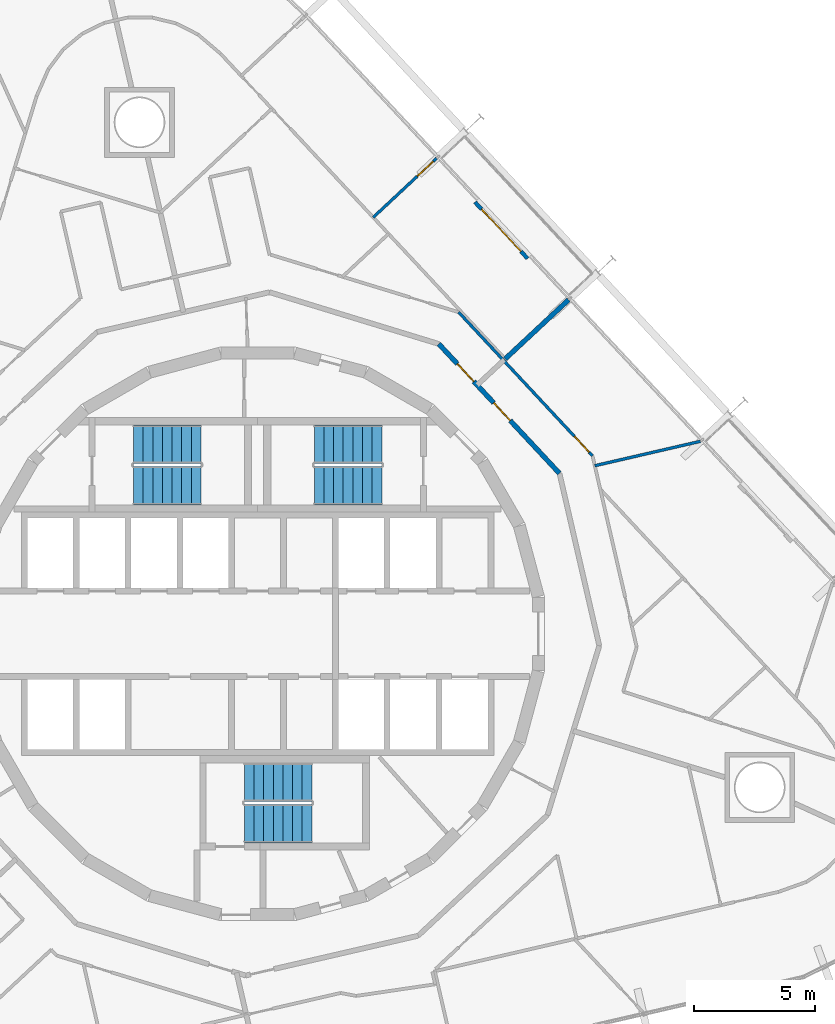
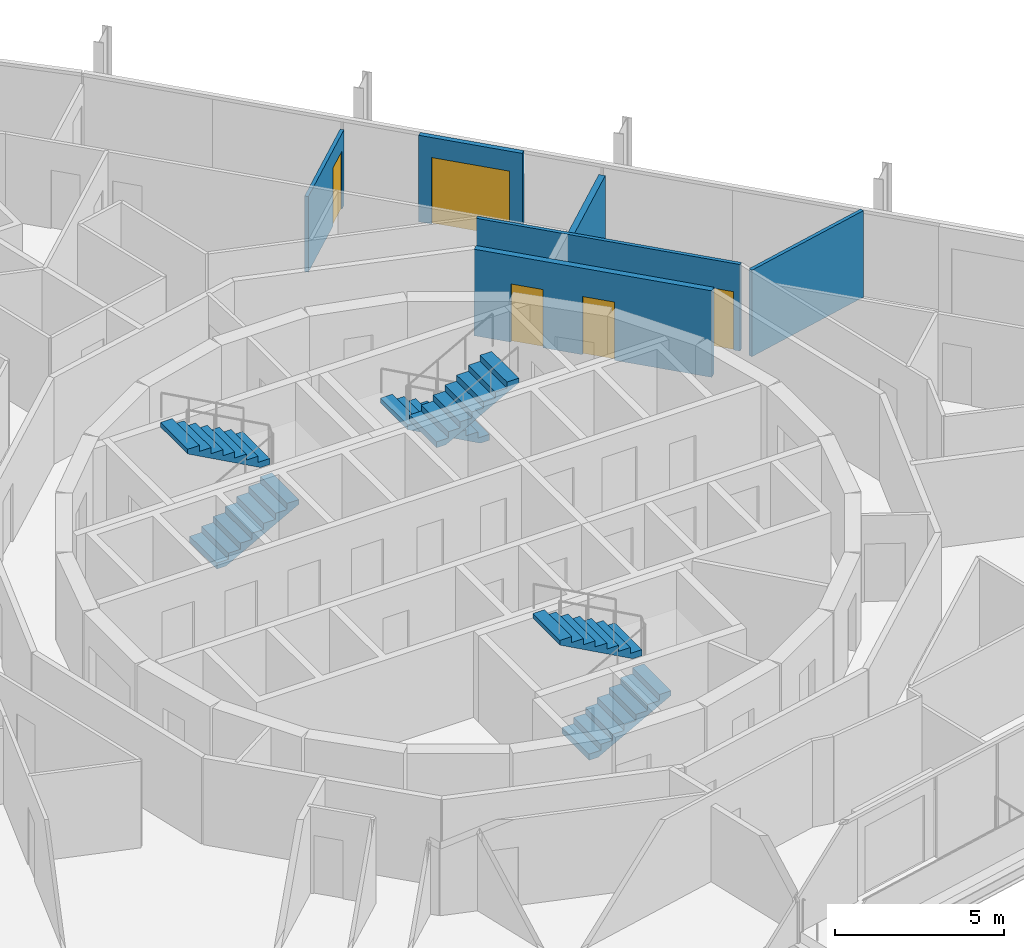
# One storey, part 17 of 18: 6 stair flights, 6 walls, 5 doors, 5 openings, 3 elements without a shape of their own.
"""IFC4 building model written with IfcOpenShell, lengths in metres."""

from ifc_helpers import new_model, si_unit, direction, frame, frame_2d, origin, place, context, subcontext, project, spatial, polyline, rectangle, outline, extrude, material, layer, layer_set, type_object, element, fill, aggregate, save


model = new_model("IFC4")

# Units and contexts
model_context = context("Model", 3, precision=1e-05, world=origin(), true_north=direction((0.0, 1.0)))
body_context = subcontext(model_context, "Body", "Model", "MODEL_VIEW")
ifc_project = project(units=[si_unit("LENGTHUNIT", "METRE"), si_unit("AREAUNIT", "SQUARE_METRE"), si_unit("VOLUMEUNIT", "CUBIC_METRE"), si_unit("PLANEANGLEUNIT", "RADIAN"), si_unit("MASSUNIT", "GRAM", prefix="KILO")], contexts=[model_context])

# Site, building, storey
site_placement = place(None, origin())
site = spatial("IfcSite", under=ifc_project, at=site_placement, CompositionType="ELEMENT")
building_placement = place(site_placement, origin())
building = spatial("IfcBuilding", under=site, at=building_placement, Name="Spindle Arch Residences", CompositionType="ELEMENT")
storey_placement = place(building_placement, frame((0.0, 0.0, 116.89990234375)))
storey = spatial("IfcBuildingStorey", under=building, at=storey_placement, Name="L28", CompositionType="ELEMENT", Elevation=116.89990234375)

# Wall, openings, doors
ifc_material_1 = material(Name="Calcium silicate block, plastered")
ifc_layer_1 = layer(ifc_material_1, 0.199951171875)
ifc_layer_set_1 = layer_set([ifc_layer_1], Name="Corridor wall 200")
wall_type_1 = type_object("IfcWallType", Name="Corridor wall 200", PredefinedType="STANDARD", material=ifc_layer_set_1)
wall_1_placement = place(storey_placement, frame((12.523193359375, 6.65869140625, 0.0), z_axis=(0.0, 0.0, 1.0), x_axis=(-0.682001841105, 0.731350455479, 0.0)))
wall_1 = element("IfcWall", 1, at=wall_1_placement, inside=storey, type_object=wall_type_1, Name="Corridor wall R3A1-W006", PredefinedType="STANDARD", context=body_context, shape_type="SweptSolid", body=[
    extrude(rectangle(XDim=7.341796875, YDim=0.199951171875, at=frame_2d((3.6708984375, 0.0))), origin(), (0.0, 0.0, 1.0), 3.1201171875),
])
opening_1_placement = place(wall_1_placement, frame((3.0, 0.0, 0.0)))
opening_1 = element("IfcOpeningElement", 2, at=opening_1_placement, cuts=wall_1, Name="Opening R3A1-FD01", PredefinedType="OPENING", context=body_context, shape_type="SweptSolid", body=[
    extrude(rectangle(XDim=1.0, YDim=2.10009765625, at=frame_2d((0.5, 1.050048828125))), frame((0.0, 0.10986328125, 0.0), z_axis=(0.0, -1.0, 0.0), x_axis=(1.0, 0.0, 0.0)), (0.0, 0.0, 1.0), 0.219970703125),
])
opening_2_placement = place(wall_1_placement, frame((5.209228515625, 0.0, 0.0)))
opening_2 = element("IfcOpeningElement", 3, at=opening_2_placement, cuts=wall_1, Name="Opening R3A1-FD02", PredefinedType="OPENING", context=body_context, shape_type="SweptSolid", body=[
    extrude(rectangle(XDim=1.0, YDim=2.10009765625, at=frame_2d((0.5, 1.050048828125))), frame((0.0, 0.10986328125, 0.0), z_axis=(0.0, -1.0, 0.0), x_axis=(1.0, 0.0, 0.0)), (0.0, 0.0, 1.0), 0.219970703125),
])
ifc_material_2 = material(Name="Timber, fire-resisting door set", Category="wood")
door_type_1 = type_object("IfcDoorType", Name="Flat entrance door 1000x2100", OperationType="NOTDEFINED", PredefinedType="DOOR", material=ifc_material_2)
door_1_placement = place(opening_1_placement, origin())
door_1 = element("IfcDoor", 4, at=door_1_placement, inside=storey, type_object=door_type_1, Name="Flat entrance door R3A1-FD01", OperationType="SINGLE_SWING_LEFT", OverallHeight=2.10009765625, OverallWidth=1.0, PredefinedType="DOOR", context=body_context, shape_type="SweptSolid", body=[
    extrude(rectangle(XDim=1.0, YDim=2.10009765625, at=frame_2d((0.5, 1.050048828125))), frame((0.0, 0.02490234375, 0.0), z_axis=(0.0, -1.0, 0.0), x_axis=(1.0, 0.0, 0.0)), (0.0, 0.0, 1.0), 0.050048828125),
])
fill(opening_1, door_1)
door_2_placement = place(opening_2_placement, origin())
door_2 = element("IfcDoor", 5, at=door_2_placement, inside=storey, type_object=door_type_1, Name="Flat entrance door R3A1-FD02", OperationType="SINGLE_SWING_RIGHT", OverallHeight=2.10009765625, OverallWidth=1.0, PredefinedType="DOOR", context=body_context, shape_type="SweptSolid", body=[
    extrude(rectangle(XDim=1.0, YDim=2.10009765625, at=frame_2d((0.5, 1.050048828125))), frame((0.0, 0.02490234375, 0.0), z_axis=(0.0, -1.0, 0.0), x_axis=(1.0, 0.0, 0.0)), (0.0, 0.0, 1.0), 0.050048828125),
])
fill(opening_2, door_2)

# Wall, opening, door
ifc_material_3 = material(Name="Plasterboard on steel studs", Category="steel")
ifc_layer_2 = layer(ifc_material_3, 0.1201171875)
ifc_layer_set_2 = layer_set([ifc_layer_2], Name="Flat partition 120")
wall_type_2 = type_object("IfcWallType", Name="Flat partition 120", PredefinedType="PARTITIONING", material=ifc_layer_set_2)
wall_2_placement = place(storey_placement, frame((13.894287109375, 7.3876953125, 0.0), z_axis=(0.0, 0.0, 1.0), x_axis=(-0.681994622729, 0.731357186721, 0.0)))
wall_2 = element("IfcWall", 6, at=wall_2_placement, inside=storey, type_object=wall_type_2, Name="Flat partition R3A1-W031", PredefinedType="PARTITIONING", context=body_context, shape_type="SweptSolid", body=[
    extrude(rectangle(XDim=8.145751953125, YDim=0.1201171875, at=frame_2d((4.07275390625, 0.0))), origin(), (0.0, 0.0, 1.0), 3.1201171875),
])
opening_3_placement = place(wall_2_placement, frame((0.199951171875, 0.0, 0.0)))
opening_3 = element("IfcOpeningElement", 7, at=opening_3_placement, cuts=wall_2, Name="Opening R3A1-ID01", PredefinedType="OPENING", context=body_context, shape_type="SweptSolid", body=[
    extrude(rectangle(XDim=0.89990234375, YDim=2.10009765625, at=frame_2d((0.449951171875, 1.050048828125))), frame((0.0, 0.070068359375, 0.0), z_axis=(0.0, -1.0, 0.0), x_axis=(1.0, 0.0, 0.0)), (0.0, 0.0, 1.0), 0.14013671875),
])
ifc_material_4 = material(Name="Timber door set", Category="wood")
door_type_2 = type_object("IfcDoorType", Name="Room door 900x2100", OperationType="NOTDEFINED", PredefinedType="DOOR", material=ifc_material_4)
door_3_placement = place(opening_3_placement, origin())
door_3 = element("IfcDoor", 8, at=door_3_placement, inside=storey, type_object=door_type_2, Name="Room door R3A1-ID01", OperationType="SINGLE_SWING_LEFT", OverallHeight=2.10009765625, OverallWidth=0.89990234375, PredefinedType="DOOR", context=body_context, shape_type="SweptSolid", body=[
    extrude(rectangle(XDim=0.89990234375, YDim=2.10009765625, at=frame_2d((0.449951171875, 1.050048828125))), frame((0.0, 0.02490234375, 0.0), z_axis=(0.0, -1.0, 0.0), x_axis=(1.0, 0.0, 0.0)), (0.0, 0.0, 1.0), 0.050048828125),
])
fill(opening_3, door_3)

# Wall
wall_3_placement = place(storey_placement, frame((18.379150390625, 7.989990234375, 0.0), z_axis=(0.0, 0.0, 1.0), x_axis=(-0.974372926515, -0.224938658471, 0.0)))
element("IfcWall", 9, at=wall_3_placement, inside=storey, type_object=wall_type_2, Name="Flat partition R3A1-W036", PredefinedType="PARTITIONING", context=body_context, shape_type="SweptSolid", body=[
    extrude(rectangle(XDim=4.50537109375, YDim=0.1201171875, at=frame_2d((2.252685546875, 0.0))), origin(), (0.0, 0.0, 1.0), 3.1201171875),
])

# Wall, opening, door
ifc_material_5 = material(Name="Plasterboard on steel studs", Category="steel")
ifc_layer_3 = layer(ifc_material_5, 0.1201171875)
ifc_layer_set_3 = layer_set([ifc_layer_3], Name="Flat partition 120 under beam 2730")
wall_type_3 = type_object("IfcWallType", Name="Flat partition 120 under beam 2730", PredefinedType="PARTITIONING", material=ifc_layer_set_3)
wall_4_placement = place(storey_placement, frame((7.427490234375, 19.734375, 0.0), z_axis=(0.0, 0.0, 1.0), x_axis=(-0.73139345201, -0.681955730497, 0.0)))
wall_4 = element("IfcWall", 10, at=wall_4_placement, inside=storey, type_object=wall_type_3, Name="Flat partition R3A1-W050", PredefinedType="PARTITIONING", context=body_context, shape_type="SweptSolid", body=[
    extrude(rectangle(XDim=3.60009765625, YDim=0.1201171875, at=frame_2d((1.800048828125, 0.0))), origin(), (0.0, 0.0, 1.0), 2.72998046875),
])
opening_4_placement = place(wall_4_placement, frame((0.199951171875, 0.0, 0.0)))
opening_4 = element("IfcOpeningElement", 11, at=opening_4_placement, cuts=wall_4, Name="Opening R3A1-ID09", PredefinedType="OPENING", context=body_context, shape_type="SweptSolid", body=[
    extrude(rectangle(XDim=0.89990234375, YDim=2.10009765625, at=frame_2d((0.449951171875, 1.050048828125))), frame((0.0, 0.070068359375, 0.0), z_axis=(0.0, -1.0, 0.0), x_axis=(1.0, 0.0, 0.0)), (0.0, 0.0, 1.0), 0.14013671875),
])
door_4_placement = place(opening_4_placement, origin())
door_4 = element("IfcDoor", 12, at=door_4_placement, inside=storey, type_object=door_type_2, Name="Room door R3A1-ID09", OperationType="SINGLE_SWING_LEFT", OverallHeight=2.10009765625, OverallWidth=0.89990234375, PredefinedType="DOOR", context=body_context, shape_type="SweptSolid", body=[
    extrude(rectangle(XDim=0.89990234375, YDim=2.10009765625, at=frame_2d((0.449951171875, 1.050048828125))), frame((0.0, 0.02490234375, 0.0), z_axis=(0.0, -1.0, 0.0), x_axis=(1.0, 0.0, 0.0)), (0.0, 0.0, 1.0), 0.050048828125),
])
fill(opening_4, door_4)

# Wall
ifc_material_6 = material(Name="Calcium silicate block, plastered")
ifc_layer_4 = layer(ifc_material_6, 0.199951171875)
ifc_layer_set_4 = layer_set([ifc_layer_4], Name="Flat party wall 200 under beam 2730")
wall_type_4 = type_object("IfcWallType", Name="Flat party wall 200 under beam 2730", PredefinedType="STANDARD", material=ifc_layer_set_4)
wall_5_placement = place(storey_placement, frame((12.9033203125, 13.8623046875, 0.0), z_axis=(0.0, 0.0, 1.0), x_axis=(-0.731328084739, -0.682025829769, 0.0)))
element("IfcWall", 13, at=wall_5_placement, inside=storey, type_object=wall_type_4, Name="Flat party wall R3A1-W019", PredefinedType="STANDARD", context=body_context, shape_type="SweptSolid", body=[
    extrude(rectangle(XDim=3.60009765625, YDim=0.199951171875, at=frame_2d((1.800048828125, 0.0))), origin(), (0.0, 0.0, 1.0), 2.72998046875),
])

# Wall, opening, door
ifc_material_7 = material(Name="Non-combustible mineral wool insulated aluminium faced external wall (K0)", Category="aluminium")
ifc_layer_5 = layer(ifc_material_7, 0.159912109375)
ifc_layer_set_5 = layer_set([ifc_layer_5], Name="Insulated external wall panel 160")
wall_type_5 = type_object("IfcWallType", Name="Insulated external wall panel 160", PredefinedType="STANDARD", material=ifc_layer_set_5)
wall_6_placement = place(storey_placement, frame((11.197998046875, 15.57373046875, 0.0), z_axis=(0.0, 0.0, 1.0), x_axis=(-0.681994703002, 0.731357111866, 0.0)))
wall_6 = element("IfcWall", 14, at=wall_6_placement, inside=storey, type_object=wall_type_5, Name="External wall L28 bay 8", PredefinedType="STANDARD", context=body_context, shape_type="SweptSolid", body=[
    extrude(rectangle(XDim=3.199951171875, YDim=0.159912109375, at=frame_2d((1.60009765625, 0.0))), origin(), (0.0, 0.0, 1.0), 3.1201171875),
])
opening_5_placement = place(wall_6_placement, frame((0.39990234375, 0.0, 0.0)))
opening_5 = element("IfcOpeningElement", 15, at=opening_5_placement, cuts=wall_6, Name="Opening BD08", PredefinedType="OPENING", context=body_context, shape_type="SweptSolid", body=[
    extrude(rectangle(XDim=2.39990234375, YDim=2.39990234375, at=frame_2d((1.199951171875, 1.199951171875))), frame((0.0, 0.08984375, 0.0), z_axis=(0.0, -1.0, 0.0), x_axis=(1.0, 0.0, 0.0)), (0.0, 0.0, 1.0), 0.179931640625),
])
ifc_material_8 = material(Name="Bronze aluminium frame, tinted double glazing", Category="aluminium")
door_type_3 = type_object("IfcDoorType", Name="Sliding glazed balcony door 2400x2400", OperationType="DOUBLE_DOOR_SLIDING", PredefinedType="DOOR", material=ifc_material_8)
door_5_placement = place(opening_5_placement, origin())
door_5 = element("IfcDoor", 16, at=door_5_placement, inside=storey, type_object=door_type_3, Name="Balcony door BD08", OperationType="DOUBLE_DOOR_SLIDING", OverallHeight=2.39990234375, OverallWidth=2.39990234375, PredefinedType="DOOR", context=body_context, shape_type="SweptSolid", body=[
    extrude(rectangle(XDim=2.39990234375, YDim=2.39990234375, at=frame_2d((1.199951171875, 1.199951171875))), frame((0.0, 0.02490234375, 0.0), z_axis=(0.0, -1.0, 0.0), x_axis=(1.0, 0.0, 0.0)), (0.0, 0.0, 1.0), 0.050048828125),
])
fill(opening_5, door_5)

# Stair, stair flights
ifc_material_9 = material(Name="Concrete C50/60", Category="concrete")
stair_type = type_object("IfcStairType", Name="Exit stair 16 risers", PredefinedType="HALF_TURN_STAIR", material=ifc_material_9)
stair_1_placement = place(storey_placement, origin())
stair_1 = element("IfcStair", 17, at=stair_1_placement, inside=storey, type_object=stair_type, Name="L28 Exit stair ST1", PredefinedType="HALF_TURN_STAIR")
ifc_material_10 = material(Name="Concrete C50/60", Category="concrete")
stair_flight_type = type_object("IfcStairFlightType", Name="Exit stair flight", PredefinedType="STRAIGHT", material=ifc_material_10)
stair_flight_1_placement = place(storey_placement, frame((5.14990234375, 7.8701171875, 0.0), z_axis=(0.0, 0.0, 1.0), x_axis=(-1.0, 0.0, 0.0)))
stair_flight_1 = element("IfcStairFlight", 18, at=stair_flight_1_placement, type_object=stair_flight_type, Name="ST1 flight 1", NumberOfRisers=8, NumberOfTreads=7, PredefinedType="STRAIGHT", RiserHeight=0.21875, TreadLength=0.4, context=body_context, shape_type="SweptSolid", body=[
    extrude(outline(polyline([(0.0, 0.0), (0.0, 0.21875), (0.39990234375, 0.21875), (0.39990234375, 0.4375), (0.800048828125, 0.4375), (0.800048828125, 0.65625), (1.199951171875, 0.65625), (1.199951171875, 0.875), (1.60009765625, 0.875), (1.60009765625, 1.09375), (2.0, 1.09375), (2.0, 1.3125), (2.39990234375, 1.3125), (2.39990234375, 1.53125), (2.800048828125, 1.53125), (2.800048828125, 1.75), (2.800048828125, 1.3603515625), (0.3125, 0.0), (0.0, 0.0)])), frame((0.0, 0.800048828125, 0.0), z_axis=(0.0, -1.0, 0.0), x_axis=(1.0, 0.0, 0.0)), (0.0, 0.0, 1.0), 1.60009765625),
])
stair_flight_2_placement = place(storey_placement, frame((2.35009765625, 6.14990234375, 1.75), z_axis=(0.0, 0.0, 1.0), x_axis=(1.0, 0.0, 0.0)))
stair_flight_2 = element("IfcStairFlight", 19, at=stair_flight_2_placement, type_object=stair_flight_type, Name="ST1 flight 2", NumberOfRisers=8, NumberOfTreads=7, PredefinedType="STRAIGHT", RiserHeight=0.21875, TreadLength=0.4, context=body_context, shape_type="SweptSolid", body=[
    extrude(outline(polyline([(0.0, 0.0), (0.0, 0.21875), (0.39990234375, 0.21875), (0.39990234375, 0.4375), (0.800048828125, 0.4375), (0.800048828125, 0.65625), (1.199951171875, 0.65625), (1.199951171875, 0.875), (1.60009765625, 0.875), (1.60009765625, 1.09375), (2.0, 1.09375), (2.0, 1.3125), (2.39990234375, 1.3125), (2.39990234375, 1.53125), (2.800048828125, 1.53125), (2.800048828125, 1.75), (2.800048828125, 1.3603515625), (0.3125, 0.0), (0.0, 0.0)])), frame((0.0, 0.800048828125, 0.0), z_axis=(0.0, -1.0, 0.0), x_axis=(1.0, 0.0, 0.0)), (0.0, 0.0, 1.0), 1.60009765625),
])
aggregate(stair_1, [stair_flight_1, stair_flight_2])

stair_2_placement = place(storey_placement, origin())
stair_2 = element("IfcStair", 20, at=stair_2_placement, inside=storey, type_object=stair_type, Name="L28 Exit stair ST2", PredefinedType="HALF_TURN_STAIR")
stair_flight_3_placement = place(storey_placement, frame((-5.14990234375, 6.14990234375, 0.0), z_axis=(0.0, 0.0, 1.0), x_axis=(1.0, 0.0, 0.0)))
stair_flight_3 = element("IfcStairFlight", 21, at=stair_flight_3_placement, type_object=stair_flight_type, Name="ST2 flight 1", NumberOfRisers=8, NumberOfTreads=7, PredefinedType="STRAIGHT", RiserHeight=0.21875, TreadLength=0.4, context=body_context, shape_type="SweptSolid", body=[
    extrude(outline(polyline([(0.0, 0.0), (0.0, 0.21875), (0.39990234375, 0.21875), (0.39990234375, 0.4375), (0.800048828125, 0.4375), (0.800048828125, 0.65625), (1.199951171875, 0.65625), (1.199951171875, 0.875), (1.60009765625, 0.875), (1.60009765625, 1.09375), (2.0, 1.09375), (2.0, 1.3125), (2.39990234375, 1.3125), (2.39990234375, 1.53125), (2.800048828125, 1.53125), (2.800048828125, 1.75), (2.800048828125, 1.3603515625), (0.3125, 0.0), (0.0, 0.0)])), frame((0.0, 0.800048828125, 0.0), z_axis=(0.0, -1.0, 0.0), x_axis=(1.0, 0.0, 0.0)), (0.0, 0.0, 1.0), 1.60009765625),
])
stair_flight_4_placement = place(storey_placement, frame((-2.35009765625, 7.8701171875, 1.75), z_axis=(0.0, 0.0, 1.0), x_axis=(-1.0, 0.0, 0.0)))
stair_flight_4 = element("IfcStairFlight", 22, at=stair_flight_4_placement, type_object=stair_flight_type, Name="ST2 flight 2", NumberOfRisers=8, NumberOfTreads=7, PredefinedType="STRAIGHT", RiserHeight=0.21875, TreadLength=0.4, context=body_context, shape_type="SweptSolid", body=[
    extrude(outline(polyline([(0.0, 0.0), (0.0, 0.21875), (0.39990234375, 0.21875), (0.39990234375, 0.4375), (0.800048828125, 0.4375), (0.800048828125, 0.65625), (1.199951171875, 0.65625), (1.199951171875, 0.875), (1.60009765625, 0.875), (1.60009765625, 1.09375), (2.0, 1.09375), (2.0, 1.3125), (2.39990234375, 1.3125), (2.39990234375, 1.53125), (2.800048828125, 1.53125), (2.800048828125, 1.75), (2.800048828125, 1.3603515625), (0.3125, 0.0), (0.0, 0.0)])), frame((0.0, 0.800048828125, 0.0), z_axis=(0.0, -1.0, 0.0), x_axis=(1.0, 0.0, 0.0)), (0.0, 0.0, 1.0), 1.60009765625),
])
aggregate(stair_2, [stair_flight_3, stair_flight_4])

stair_3_placement = place(storey_placement, origin())
stair_3 = element("IfcStair", 23, at=stair_3_placement, inside=storey, type_object=stair_type, Name="L28 Exit stair ST3", PredefinedType="HALF_TURN_STAIR")
stair_flight_5_placement = place(storey_placement, frame((-0.550048828125, -7.8701171875, 0.0), z_axis=(0.0, 0.0, 1.0), x_axis=(1.0, 0.0, 0.0)))
stair_flight_5 = element("IfcStairFlight", 24, at=stair_flight_5_placement, type_object=stair_flight_type, Name="ST3 flight 1", NumberOfRisers=8, NumberOfTreads=7, PredefinedType="STRAIGHT", RiserHeight=0.21875, TreadLength=0.4, context=body_context, shape_type="SweptSolid", body=[
    extrude(outline(polyline([(0.0, 0.0), (0.0, 0.21875), (0.39990234375, 0.21875), (0.39990234375, 0.4375), (0.800048828125, 0.4375), (0.800048828125, 0.65625), (1.199951171875, 0.65625), (1.199951171875, 0.875), (1.60009765625, 0.875), (1.60009765625, 1.09375), (2.0, 1.09375), (2.0, 1.3125), (2.39990234375, 1.3125), (2.39990234375, 1.53125), (2.800048828125, 1.53125), (2.800048828125, 1.75), (2.800048828125, 1.3603515625), (0.3125, 0.0), (0.0, 0.0)])), frame((0.0, 0.800048828125, 0.0), z_axis=(0.0, -1.0, 0.0), x_axis=(1.0, 0.0, 0.0)), (0.0, 0.0, 1.0), 1.60009765625),
])
stair_flight_6_placement = place(storey_placement, frame((2.25, -6.14990234375, 1.75), z_axis=(0.0, 0.0, 1.0), x_axis=(-1.0, 0.0, 0.0)))
stair_flight_6 = element("IfcStairFlight", 25, at=stair_flight_6_placement, type_object=stair_flight_type, Name="ST3 flight 2", NumberOfRisers=8, NumberOfTreads=7, PredefinedType="STRAIGHT", RiserHeight=0.21875, TreadLength=0.4, context=body_context, shape_type="SweptSolid", body=[
    extrude(outline(polyline([(0.0, 0.0), (0.0, 0.21875), (0.39990234375, 0.21875), (0.39990234375, 0.4375), (0.800048828125, 0.4375), (0.800048828125, 0.65625), (1.199951171875, 0.65625), (1.199951171875, 0.875), (1.60009765625, 0.875), (1.60009765625, 1.09375), (2.0, 1.09375), (2.0, 1.3125), (2.39990234375, 1.3125), (2.39990234375, 1.53125), (2.800048828125, 1.53125), (2.800048828125, 1.75), (2.800048828125, 1.3603515625), (0.3125, 0.0), (0.0, 0.0)])), frame((0.0, 0.800048828125, 0.0), z_axis=(0.0, -1.0, 0.0), x_axis=(1.0, 0.0, 0.0)), (0.0, 0.0, 1.0), 1.60009765625),
])
aggregate(stair_3, [stair_flight_5, stair_flight_6])

save(model, "model.ifc")
